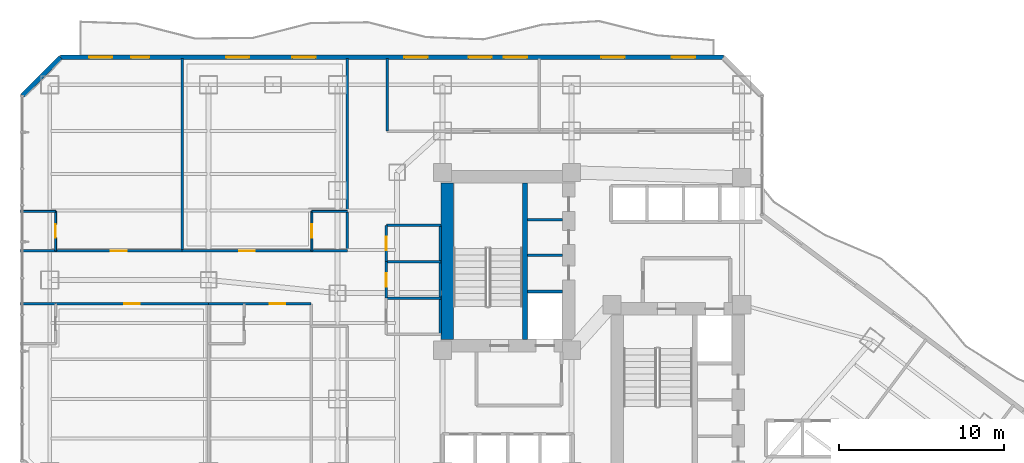
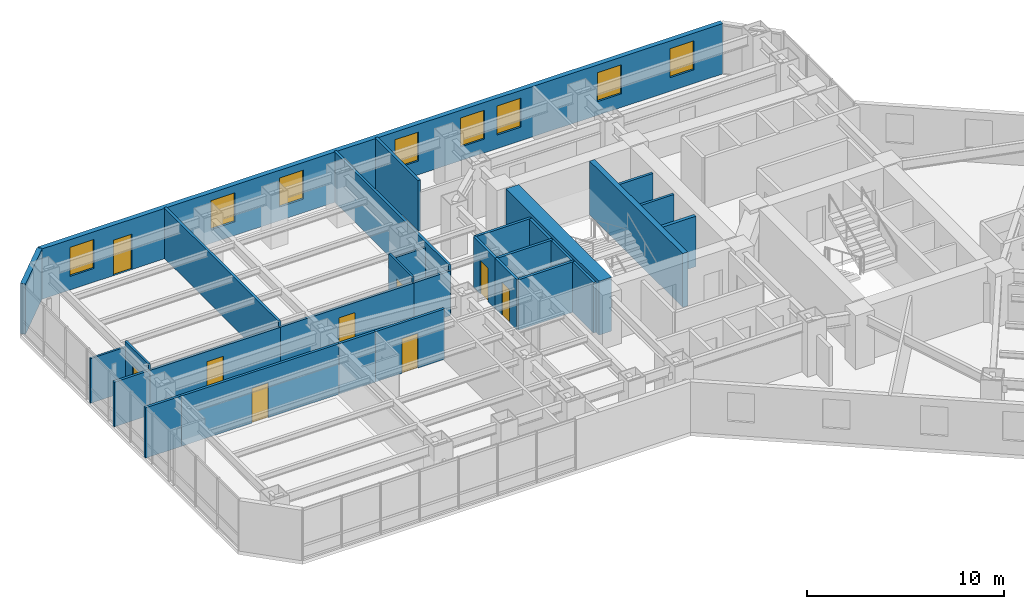
# One storey, part 26 of 37: 28 walls, 9 doors, 8 windows, 17 openings.
"""IFC4 building model written with IfcOpenShell, lengths in metres."""

from ifc_helpers import new_model, si_unit, direction, frame, frame_2d, origin, place, context, subcontext, project, spatial, rectangle, extrude, material, layer, layer_set, type_object, element, fill, save


model = new_model("IFC4")

# Units and contexts
model_context = context("Model", 3, precision=1e-05, world=origin(), true_north=direction((0.0, 1.0)))
body_context = subcontext(model_context, "Body", "Model", "MODEL_VIEW")
ifc_project = project(units=[si_unit("LENGTHUNIT", "METRE"), si_unit("AREAUNIT", "SQUARE_METRE"), si_unit("VOLUMEUNIT", "CUBIC_METRE"), si_unit("PLANEANGLEUNIT", "RADIAN"), si_unit("MASSUNIT", "GRAM", prefix="KILO")], contexts=[model_context])

# Site, building, storey
site_placement = place(None, origin())
site = spatial("IfcSite", under=ifc_project, at=site_placement, CompositionType="ELEMENT")
building_placement = place(site_placement, origin())
building = spatial("IfcBuilding", under=site, at=building_placement, Name="Hatsunagi Terrace Concourse", CompositionType="ELEMENT")
storey_placement = place(building_placement, frame((0.0, 0.0, 39.949951171875)))
storey = spatial("IfcBuildingStorey", under=building, at=storey_placement, Name="L09", CompositionType="ELEMENT", Elevation=39.949951171875)

# Walls
ifc_material_1 = material(Name="Concrete Fc60", Category="concrete")
ifc_layer_1 = layer(ifc_material_1, 0.75)
ifc_layer_set_1 = layer_set([ifc_layer_1], Name="CoreShearWall_Fc60_750")
wall_type_1 = type_object("IfcWallType", Name="CoreShearWall_Fc60_750", PredefinedType="SHEAR", material=ifc_layer_set_1)
wall_1_placement = place(storey_placement, frame((25.844970703125, 33.18994140625, 0.0), z_axis=(0.0, 0.0, 1.0), x_axis=(0.0, 1.0, 0.0)))
element("IfcWall", 1, at=wall_1_placement, inside=storey, type_object=wall_type_1, Name="Core A Shear Wall W L09", PredefinedType="SHEAR", context=body_context, shape_type="SweptSolid", body=[
    extrude(rectangle(XDim=9.47998046875, YDim=0.75, at=frame_2d((4.739990234375, 0.0))), origin(), (0.0, 0.0, 1.0), 3.35009765625),
])
ifc_material_2 = material(Name="Concrete Fc48", Category="concrete")
ifc_layer_2 = layer(ifc_material_2, 0.300048828125)
ifc_layer_set_2 = layer_set([ifc_layer_2], Name="CoreStairDivider_Fc48_300")
wall_type_2 = type_object("IfcWallType", Name="CoreStairDivider_Fc48_300", PredefinedType="SHEAR", material=ifc_layer_set_2)
wall_2_placement = place(storey_placement, frame((30.5400390625, 33.18994140625, 0.0), z_axis=(0.0, 0.0, 1.0), x_axis=(0.0, 1.0, 0.0)))
element("IfcWall", 2, at=wall_2_placement, inside=storey, type_object=wall_type_2, Name="Core A Shear Wall D L09", PredefinedType="SHEAR", context=body_context, shape_type="SweptSolid", body=[
    extrude(rectangle(XDim=9.47998046875, YDim=0.300048828125, at=frame_2d((4.739990234375, 0.0))), origin(), (0.0, 0.0, 1.0), 3.35009765625),
])

# Wall, opening, door
ifc_material_3 = material(Name="Acoustic mineral board", Category="gypsum")
ifc_layer_3 = layer(ifc_material_3, 0.1201171875)
ifc_layer_set_3 = layer_set([ifc_layer_3], Name="PartitionWall_EI30_120")
wall_type_3 = type_object("IfcWallType", Name="PartitionWall_EI30_120", PredefinedType="PARTITIONING", material=ifc_layer_set_3)
wall_3_placement = place(storey_placement, frame((2.14990234375, 38.550048828125, 0.0), z_axis=(0.0, 0.0, 1.0), x_axis=(0.0, 1.0, 0.0)))
wall_3 = element("IfcWall", 3, at=wall_3_placement, inside=storey, type_object=wall_type_3, Name="Interior Partition IW-L09-048", PredefinedType="PARTITIONING", context=body_context, shape_type="SweptSolid", body=[
    extrude(rectangle(XDim=2.39990234375, YDim=0.1201171875, at=frame_2d((1.199951171875, 0.0))), origin(), (0.0, 0.0, 1.0), 3.130126953125),
])
opening_1_placement = place(wall_3_placement, frame((0.800048828125, 0.0, 0.0)))
opening_1 = element("IfcOpeningElement", 4, at=opening_1_placement, cuts=wall_3, Name="Opening DR-080", PredefinedType="OPENING", context=body_context, shape_type="SweptSolid", body=[
    extrude(rectangle(XDim=0.800048828125, YDim=2.06005859375, at=frame_2d((0.39990234375, 1.030029296875))), frame((0.0, 0.070068359375, 0.0), z_axis=(0.0, -1.0, 0.0), x_axis=(1.0, 0.0, 0.0)), (0.0, 0.0, 1.0), 0.14013671875),
])
ifc_material_4 = material(Name="Hardwood timber", Category="wood")
door_type_1 = type_object("IfcDoorType", Name="BathroomDoor_800", OperationType="NOTDEFINED", PredefinedType="DOOR", material=ifc_material_4)
door_1_placement = place(opening_1_placement, origin())
door_1 = element("IfcDoor", 5, at=door_1_placement, inside=storey, type_object=door_type_1, Name="En-Suite Bathroom L09-N1 Door", OperationType="SINGLE_SWING_RIGHT", OverallHeight=2.06005859375, OverallWidth=0.800048828125, PredefinedType="DOOR", context=body_context, shape_type="SweptSolid", body=[
    extrude(rectangle(XDim=0.800048828125, YDim=2.06005859375, at=frame_2d((0.39990234375, 1.030029296875))), frame((0.0, 0.02490234375, 0.0), z_axis=(0.0, -1.0, 0.0), x_axis=(1.0, 0.0, 0.0)), (0.0, 0.0, 1.0), 0.050048828125),
])
fill(opening_1, door_1)

# Wall
wall_4_placement = place(storey_placement, frame((0.0400390625, 40.949951171875, 0.0), z_axis=(0.0, 0.0, 1.0), x_axis=(1.0, 0.0, 0.0)))
element("IfcWall", 6, at=wall_4_placement, inside=storey, type_object=wall_type_3, Name="Interior Partition IW-L09-049", PredefinedType="PARTITIONING", context=body_context, shape_type="SweptSolid", body=[
    extrude(rectangle(XDim=2.10986328125, YDim=0.1201171875, at=frame_2d((1.054931640625, 0.0))), origin(), (0.0, 0.0, 1.0), 2.775146484375),
])

# Wall, opening, door
wall_5_placement = place(storey_placement, frame((17.64990234375, 38.550048828125, 0.0), z_axis=(0.0, 0.0, 1.0), x_axis=(0.0, 1.0, 0.0)))
wall_5 = element("IfcWall", 7, at=wall_5_placement, inside=storey, type_object=wall_type_3, Name="Interior Partition IW-L09-053", PredefinedType="PARTITIONING", context=body_context, shape_type="SweptSolid", body=[
    extrude(rectangle(XDim=2.39990234375, YDim=0.1201171875, at=frame_2d((1.199951171875, 0.0))), origin(), (0.0, 0.0, 1.0), 3.130126953125),
])
opening_2_placement = place(wall_5_placement, frame((0.800048828125, 0.0, 0.0)))
opening_2 = element("IfcOpeningElement", 8, at=opening_2_placement, cuts=wall_5, Name="Opening DR-080", PredefinedType="OPENING", context=body_context, shape_type="SweptSolid", body=[
    extrude(rectangle(XDim=0.800048828125, YDim=2.06005859375, at=frame_2d((0.39990234375, 1.030029296875))), frame((0.0, 0.070068359375, 0.0), z_axis=(0.0, -1.0, 0.0), x_axis=(1.0, 0.0, 0.0)), (0.0, 0.0, 1.0), 0.14013671875),
])
door_2_placement = place(opening_2_placement, origin())
door_2 = element("IfcDoor", 9, at=door_2_placement, inside=storey, type_object=door_type_1, Name="En-Suite Bathroom L09-N2 Door", OperationType="SINGLE_SWING_LEFT", OverallHeight=2.06005859375, OverallWidth=0.800048828125, PredefinedType="DOOR", context=body_context, shape_type="SweptSolid", body=[
    extrude(rectangle(XDim=0.800048828125, YDim=2.06005859375, at=frame_2d((0.39990234375, 1.030029296875))), frame((0.0, 0.02490234375, 0.0), z_axis=(0.0, -1.0, 0.0), x_axis=(1.0, 0.0, 0.0)), (0.0, 0.0, 1.0), 0.050048828125),
])
fill(opening_2, door_2)

# Walls
wall_6_placement = place(storey_placement, frame((17.64990234375, 40.949951171875, 0.0), z_axis=(0.0, 0.0, 1.0), x_axis=(1.0, 0.0, 0.0)))
element("IfcWall", 10, at=wall_6_placement, inside=storey, type_object=wall_type_3, Name="Interior Partition IW-L09-054", PredefinedType="PARTITIONING", context=body_context, shape_type="SweptSolid", body=[
    extrude(rectangle(XDim=2.150146484375, YDim=0.1201171875, at=frame_2d((1.0751953125, 0.0))), origin(), (0.0, 0.0, 1.0), 2.775146484375),
])
ifc_material_5 = material(Name="Acoustic mineral board", Category="gypsum")
ifc_layer_4 = layer(ifc_material_5, 0.14990234375)
ifc_layer_set_4 = layer_set([ifc_layer_4], Name="PartitionWall_EI60_150")
wall_type_4 = type_object("IfcWallType", Name="PartitionWall_EI60_150", PredefinedType="PARTITIONING", material=ifc_layer_set_4)
for number, where, z_axis, x_axis, name in (
    (11, (30.699951171875, 38.300048828125, 0.0), (0.0, 0.0, 1.0), (1.0, 0.0, 0.0), "Interior Partition IW-L09-002"),
    (12, (30.699951171875, 40.449951171875, 0.0), (0.0, 0.0, 1.0), (1.0, 0.0, 0.0), "Interior Partition IW-L09-003"),
):
    element("IfcWall", number, at=place(storey_placement, frame(where, z_axis=z_axis, x_axis=x_axis)), inside=storey, type_object=wall_type_4, Name=name, PredefinedType="PARTITIONING", context=body_context, shape_type="SweptSolid", body=[
        extrude(rectangle(XDim=2.10009765625, YDim=0.14990234375, at=frame_2d((1.050048828125, 0.0))), origin(), (0.0, 0.0, 1.0), 3.130126953125),
    ])
wall_7_placement = place(storey_placement, frame((22.14990234375, 40.10009765625, 0.0), z_axis=(0.0, 0.0, 1.0), x_axis=(1.0, 0.0, 0.0)))
element("IfcWall", 13, at=wall_7_placement, inside=storey, type_object=wall_type_4, Name="Interior Partition IW-L09-032", PredefinedType="PARTITIONING", context=body_context, shape_type="SweptSolid", body=[
    extrude(rectangle(XDim=3.300048828125, YDim=0.14990234375, at=frame_2d((1.64990234375, 0.0))), origin(), (0.0, 0.0, 1.0), 3.130126953125),
])
wall_8_placement = place(storey_placement, frame((25.39990234375, 33.5, 0.0), z_axis=(0.0, 0.0, 1.0), x_axis=(0.0, 1.0, 0.0)))
element("IfcWall", 14, at=wall_8_placement, inside=storey, type_object=wall_type_4, Name="Interior Partition IW-L09-033", PredefinedType="PARTITIONING", context=body_context, shape_type="SweptSolid", body=[
    extrude(rectangle(XDim=6.60009765625, YDim=0.14990234375, at=frame_2d((3.300048828125, 0.0))), origin(), (0.0, 0.0, 1.0), 3.130126953125),
])
for number, where, z_axis, x_axis, name in (
    (15, (22.14990234375, 35.699951171875, 0.0), (0.0, 0.0, 1.0), (1.0, 0.0, 0.0), "Interior Partition IW-L09-034"),
    (16, (22.14990234375, 37.89990234375, 0.0), (0.0, 0.0, 1.0), (1.0, 0.0, 0.0), "Interior Partition IW-L09-035"),
):
    element("IfcWall", number, at=place(storey_placement, frame(where, z_axis=z_axis, x_axis=x_axis)), inside=storey, type_object=wall_type_4, Name=name, PredefinedType="PARTITIONING", context=body_context, shape_type="SweptSolid", body=[
        extrude(rectangle(XDim=3.300048828125, YDim=0.14990234375, at=frame_2d((1.64990234375, 0.0))), origin(), (0.0, 0.0, 1.0), 3.130126953125),
    ])

# Wall, opening, door
wall_9_placement = place(storey_placement, frame((22.14990234375, 35.699951171875, 0.0), z_axis=(0.0, 0.0, 1.0), x_axis=(0.0, 1.0, 0.0)))
wall_9 = element("IfcWall", 17, at=wall_9_placement, inside=storey, type_object=wall_type_4, Name="Interior Partition IW-L09-037", PredefinedType="PARTITIONING", context=body_context, shape_type="SweptSolid", body=[
    extrude(rectangle(XDim=2.199951171875, YDim=0.14990234375, at=frame_2d((1.10009765625, 0.0))), origin(), (0.0, 0.0, 1.0), 3.130126953125),
])
opening_3_placement = place(wall_9_placement, frame((0.699951171875, 0.0, 0.0)))
opening_3 = element("IfcOpeningElement", 18, at=opening_3_placement, cuts=wall_9, Name="Opening DR-080", PredefinedType="OPENING", context=body_context, shape_type="SweptSolid", body=[
    extrude(rectangle(XDim=0.800048828125, YDim=2.06005859375, at=frame_2d((0.39990234375, 1.030029296875))), frame((0.0, 0.0849609375, 0.0), z_axis=(0.0, -1.0, 0.0), x_axis=(1.0, 0.0, 0.0)), (0.0, 0.0, 1.0), 0.169921875),
])
door_3_placement = place(opening_3_placement, origin())
door_3 = element("IfcDoor", 19, at=door_3_placement, inside=storey, type_object=door_type_1, Name="Female Restroom Door L09", OperationType="SINGLE_SWING_RIGHT", OverallHeight=2.06005859375, OverallWidth=0.800048828125, PredefinedType="DOOR", context=body_context, shape_type="SweptSolid", body=[
    extrude(rectangle(XDim=0.800048828125, YDim=2.06005859375, at=frame_2d((0.39990234375, 1.030029296875))), frame((0.0, 0.02490234375, 0.0), z_axis=(0.0, -1.0, 0.0), x_axis=(1.0, 0.0, 0.0)), (0.0, 0.0, 1.0), 0.050048828125),
])
fill(opening_3, door_3)

wall_10_placement = place(storey_placement, frame((22.14990234375, 37.89990234375, 0.0), z_axis=(0.0, 0.0, 1.0), x_axis=(0.0, 1.0, 0.0)))
wall_10 = element("IfcWall", 20, at=wall_10_placement, inside=storey, type_object=wall_type_4, Name="Interior Partition IW-L09-038", PredefinedType="PARTITIONING", context=body_context, shape_type="SweptSolid", body=[
    extrude(rectangle(XDim=2.2001953125, YDim=0.14990234375, at=frame_2d((1.10009765625, 0.0))), origin(), (0.0, 0.0, 1.0), 3.130126953125),
])
opening_4_placement = place(wall_10_placement, frame((0.699951171875, 0.0, 0.0)))
opening_4 = element("IfcOpeningElement", 21, at=opening_4_placement, cuts=wall_10, Name="Opening DR-080", PredefinedType="OPENING", context=body_context, shape_type="SweptSolid", body=[
    extrude(rectangle(XDim=0.800048828125, YDim=2.06005859375, at=frame_2d((0.39990234375, 1.030029296875))), frame((0.0, 0.0849609375, 0.0), z_axis=(0.0, -1.0, 0.0), x_axis=(1.0, 0.0, 0.0)), (0.0, 0.0, 1.0), 0.169921875),
])
door_4_placement = place(opening_4_placement, origin())
door_4 = element("IfcDoor", 22, at=door_4_placement, inside=storey, type_object=door_type_1, Name="Male Restroom Door L09", OperationType="SINGLE_SWING_RIGHT", OverallHeight=2.06005859375, OverallWidth=0.800048828125, PredefinedType="DOOR", context=body_context, shape_type="SweptSolid", body=[
    extrude(rectangle(XDim=0.800048828125, YDim=2.06005859375, at=frame_2d((0.39990234375, 1.030029296875))), frame((0.0, 0.02490234375, 0.0), z_axis=(0.0, -1.0, 0.0), x_axis=(1.0, 0.0, 0.0)), (0.0, 0.0, 1.0), 0.050048828125),
])
fill(opening_4, door_4)

# Walls
wall_11_placement = place(storey_placement, frame((22.199951171875, 45.800048828125, 0.0), z_axis=(0.0, 0.0, 1.0), x_axis=(0.0, 1.0, 0.0)))
element("IfcWall", 23, at=wall_11_placement, inside=storey, type_object=wall_type_4, Name="Interior Partition IW-L09-040", PredefinedType="PARTITIONING", context=body_context, shape_type="SweptSolid", body=[
    extrude(rectangle(XDim=4.39990234375, YDim=0.14990234375, at=frame_2d((2.199951171875, 0.0))), origin(), (0.0, 0.0, 1.0), 3.130126953125),
])
wall_12_placement = place(storey_placement, frame((0.0400390625, 38.550048828125, 0.0), z_axis=(0.0, 0.0, 1.0), x_axis=(1.0, 0.0, 0.0)))
element("IfcWall", 24, at=wall_12_placement, inside=storey, type_object=wall_type_4, Name="Interior Partition IW-L09-046", PredefinedType="PARTITIONING", context=body_context, shape_type="SweptSolid", body=[
    extrude(rectangle(XDim=2.10986328125, YDim=0.14990234375, at=frame_2d((1.054931640625, 0.0))), origin(), (0.0, 0.0, 1.0), 2.775146484375),
])

# Wall, opening, door
wall_13_placement = place(storey_placement, frame((2.14990234375, 38.550048828125, 0.0), z_axis=(0.0, 0.0, 1.0), x_axis=(1.0, 0.0, 0.0)))
wall_13 = element("IfcWall", 25, at=wall_13_placement, inside=storey, type_object=wall_type_4, Name="Interior Partition IW-L09-047", PredefinedType="PARTITIONING", context=body_context, shape_type="SweptSolid", body=[
    extrude(rectangle(XDim=7.650146484375, YDim=0.14990234375, at=frame_2d((3.8251953125, 0.0))), origin(), (0.0, 0.0, 1.0), 2.775146484375),
])
opening_5_placement = place(wall_13_placement, frame((3.35009765625, 0.0, 0.0)))
opening_5 = element("IfcOpeningElement", 26, at=opening_5_placement, cuts=wall_13, Name="Opening DR-095", PredefinedType="OPENING", context=body_context, shape_type="SweptSolid", body=[
    extrude(rectangle(XDim=0.949951171875, YDim=2.14990234375, at=frame_2d((0.47509765625, 1.074951171875))), frame((0.0, 0.0849609375, 0.0), z_axis=(0.0, -1.0, 0.0), x_axis=(1.0, 0.0, 0.0)), (0.0, 0.0, 1.0), 0.169921875),
])
ifc_material_6 = material(Name="Hardwood timber", Category="wood")
door_type_2 = type_object("IfcDoorType", Name="InteriorSuiteDoor_EI30_950", OperationType="NOTDEFINED", PredefinedType="DOOR", material=ifc_material_6)
door_5_placement = place(opening_5_placement, origin())
door_5 = element("IfcDoor", 27, at=door_5_placement, inside=storey, type_object=door_type_2, Name="Corner Hotel Suite L09-N1 Door", OperationType="SINGLE_SWING_LEFT", OverallHeight=2.14990234375, OverallWidth=0.949951171875, PredefinedType="DOOR", context=body_context, shape_type="SweptSolid", body=[
    extrude(rectangle(XDim=0.949951171875, YDim=2.14990234375, at=frame_2d((0.47509765625, 1.074951171875))), frame((0.0, 0.02490234375, 0.0), z_axis=(0.0, -1.0, 0.0), x_axis=(1.0, 0.0, 0.0)), (0.0, 0.0, 1.0), 0.050048828125),
])
fill(opening_5, door_5)

# Wall
wall_14_placement = place(storey_placement, frame((9.800048828125, 38.550048828125, 0.0), z_axis=(0.0, 0.0, 1.0), x_axis=(0.0, 1.0, 0.0)))
element("IfcWall", 28, at=wall_14_placement, inside=storey, type_object=wall_type_4, Name="Interior Partition IW-L09-050", PredefinedType="PARTITIONING", context=body_context, shape_type="SweptSolid", body=[
    extrude(rectangle(XDim=11.64990234375, YDim=0.14990234375, at=frame_2d((5.824951171875, 0.0))), origin(), (0.0, 0.0, 1.0), 3.130126953125),
])

# Wall, opening, door
wall_15_placement = place(storey_placement, frame((9.800048828125, 38.550048828125, 0.0), z_axis=(0.0, 0.0, 1.0), x_axis=(1.0, 0.0, 0.0)))
wall_15 = element("IfcWall", 29, at=wall_15_placement, inside=storey, type_object=wall_type_4, Name="Interior Partition IW-L09-051", PredefinedType="PARTITIONING", context=body_context, shape_type="SweptSolid", body=[
    extrude(rectangle(XDim=7.849853515625, YDim=0.14990234375, at=frame_2d((3.9248046875, 0.0))), origin(), (0.0, 0.0, 1.0), 2.775146484375),
])
opening_6_placement = place(wall_15_placement, frame((3.449951171875, 0.0, 0.0)))
opening_6 = element("IfcOpeningElement", 30, at=opening_6_placement, cuts=wall_15, Name="Opening DR-095", PredefinedType="OPENING", context=body_context, shape_type="SweptSolid", body=[
    extrude(rectangle(XDim=0.949951171875, YDim=2.14990234375, at=frame_2d((0.47509765625, 1.074951171875))), frame((0.0, 0.0849609375, 0.0), z_axis=(0.0, -1.0, 0.0), x_axis=(1.0, 0.0, 0.0)), (0.0, 0.0, 1.0), 0.169921875),
])
door_6_placement = place(opening_6_placement, origin())
door_6 = element("IfcDoor", 31, at=door_6_placement, inside=storey, type_object=door_type_2, Name="Corner Hotel Suite L09-N2 Door", OperationType="SINGLE_SWING_LEFT", OverallHeight=2.14990234375, OverallWidth=0.949951171875, PredefinedType="DOOR", context=body_context, shape_type="SweptSolid", body=[
    extrude(rectangle(XDim=0.949951171875, YDim=2.14990234375, at=frame_2d((0.47509765625, 1.074951171875))), frame((0.0, 0.02490234375, 0.0), z_axis=(0.0, -1.0, 0.0), x_axis=(1.0, 0.0, 0.0)), (0.0, 0.0, 1.0), 0.050048828125),
])
fill(opening_6, door_6)

# Walls
wall_16_placement = place(storey_placement, frame((17.64990234375, 38.550048828125, 0.0), z_axis=(0.0, 0.0, 1.0), x_axis=(1.0, 0.0, 0.0)))
element("IfcWall", 32, at=wall_16_placement, inside=storey, type_object=wall_type_4, Name="Interior Partition IW-L09-052", PredefinedType="PARTITIONING", context=body_context, shape_type="SweptSolid", body=[
    extrude(rectangle(XDim=2.150146484375, YDim=0.14990234375, at=frame_2d((1.0751953125, 0.0))), origin(), (0.0, 0.0, 1.0), 2.775146484375),
])
wall_17_placement = place(storey_placement, frame((19.800048828125, 38.550048828125, 0.0), z_axis=(0.0, 0.0, 1.0), x_axis=(0.0, 1.0, 0.0)))
element("IfcWall", 33, at=wall_17_placement, inside=storey, type_object=wall_type_4, Name="Interior Partition IW-L09-055", PredefinedType="PARTITIONING", context=body_context, shape_type="SweptSolid", body=[
    extrude(rectangle(XDim=11.64990234375, YDim=0.14990234375, at=frame_2d((5.824951171875, 0.0))), origin(), (0.0, 0.0, 1.0), 3.130126953125),
])
wall_18_placement = place(storey_placement, frame((0.0400390625, 35.35009765625, 0.0), z_axis=(0.0, 0.0, 1.0), x_axis=(1.0, 0.0, 0.0)))
element("IfcWall", 34, at=wall_18_placement, inside=storey, type_object=wall_type_4, Name="Interior Partition IW-L09-056", PredefinedType="PARTITIONING", context=body_context, shape_type="SweptSolid", body=[
    extrude(rectangle(XDim=2.10986328125, YDim=0.14990234375, at=frame_2d((1.054931640625, 0.0))), origin(), (0.0, 0.0, 1.0), 3.130126953125),
])

# Wall, opening, door
wall_19_placement = place(storey_placement, frame((2.14990234375, 35.35009765625, 0.0), z_axis=(0.0, 0.0, 1.0), x_axis=(1.0, 0.0, 0.0)))
wall_19 = element("IfcWall", 35, at=wall_19_placement, inside=storey, type_object=wall_type_4, Name="Interior Partition IW-L09-057", PredefinedType="PARTITIONING", context=body_context, shape_type="SweptSolid", body=[
    extrude(rectangle(XDim=9.25, YDim=0.14990234375, at=frame_2d((4.625, 0.0))), origin(), (0.0, 0.0, 1.0), 3.130126953125),
])
opening_7_placement = place(wall_19_placement, frame((4.14990234375, 0.0, 0.0)))
opening_7 = element("IfcOpeningElement", 36, at=opening_7_placement, cuts=wall_19, Name="Opening DR-095", PredefinedType="OPENING", context=body_context, shape_type="SweptSolid", body=[
    extrude(rectangle(XDim=0.949951171875, YDim=2.14990234375, at=frame_2d((0.47509765625, 1.074951171875))), frame((0.0, 0.0849609375, 0.0), z_axis=(0.0, -1.0, 0.0), x_axis=(1.0, 0.0, 0.0)), (0.0, 0.0, 1.0), 0.169921875),
])
door_7_placement = place(opening_7_placement, origin())
door_7 = element("IfcDoor", 37, at=door_7_placement, inside=storey, type_object=door_type_2, Name="Corner Hotel Suite L09-S1 Door", OperationType="SINGLE_SWING_RIGHT", OverallHeight=2.14990234375, OverallWidth=0.949951171875, PredefinedType="DOOR", context=body_context, shape_type="SweptSolid", body=[
    extrude(rectangle(XDim=0.949951171875, YDim=2.14990234375, at=frame_2d((0.47509765625, 1.074951171875))), frame((0.0, 0.02490234375, 0.0), z_axis=(0.0, -1.0, 0.0), x_axis=(1.0, 0.0, 0.0)), (0.0, 0.0, 1.0), 0.050048828125),
])
fill(opening_7, door_7)

# Wall
wall_20_placement = place(storey_placement, frame((11.39990234375, 35.35009765625, 0.0), z_axis=(0.0, 0.0, 1.0), x_axis=(1.0, 0.0, 0.0)))
element("IfcWall", 38, at=wall_20_placement, inside=storey, type_object=wall_type_4, Name="Interior Partition IW-L09-061", PredefinedType="PARTITIONING", context=body_context, shape_type="SweptSolid", body=[
    extrude(rectangle(XDim=2.150146484375, YDim=0.14990234375, at=frame_2d((1.0751953125, 0.0))), origin(), (0.0, 0.0, 1.0), 3.130126953125),
])

# Wall, opening, door
wall_21_placement = place(storey_placement, frame((13.550048828125, 35.35009765625, 0.0), z_axis=(0.0, 0.0, 1.0), x_axis=(1.0, 0.0, 0.0)))
wall_21 = element("IfcWall", 39, at=wall_21_placement, inside=storey, type_object=wall_type_4, Name="Interior Partition IW-L09-062", PredefinedType="PARTITIONING", context=body_context, shape_type="SweptSolid", body=[
    extrude(rectangle(XDim=4.050048828125, YDim=0.14990234375, at=frame_2d((2.02490234375, 0.0))), origin(), (0.0, 0.0, 1.0), 3.130126953125),
])
opening_8_placement = place(wall_21_placement, frame((1.550048828125, 0.0, 0.0)))
opening_8 = element("IfcOpeningElement", 40, at=opening_8_placement, cuts=wall_21, Name="Opening DR-095", PredefinedType="OPENING", context=body_context, shape_type="SweptSolid", body=[
    extrude(rectangle(XDim=0.949951171875, YDim=2.14990234375, at=frame_2d((0.47509765625, 1.074951171875))), frame((0.0, 0.0849609375, 0.0), z_axis=(0.0, -1.0, 0.0), x_axis=(1.0, 0.0, 0.0)), (0.0, 0.0, 1.0), 0.169921875),
])
door_8_placement = place(opening_8_placement, origin())
door_8 = element("IfcDoor", 41, at=door_8_placement, inside=storey, type_object=door_type_2, Name="Hotel Guest Room L09-S2 Door", OperationType="SINGLE_SWING_RIGHT", OverallHeight=2.14990234375, OverallWidth=0.949951171875, PredefinedType="DOOR", context=body_context, shape_type="SweptSolid", body=[
    extrude(rectangle(XDim=0.949951171875, YDim=2.14990234375, at=frame_2d((0.47509765625, 1.074951171875))), frame((0.0, 0.02490234375, 0.0), z_axis=(0.0, -1.0, 0.0), x_axis=(1.0, 0.0, 0.0)), (0.0, 0.0, 1.0), 0.050048828125),
])
fill(opening_8, door_8)

# Walls
ifc_material_7 = material(Name="Acoustic mineral board", Category="gypsum")
ifc_layer_5 = layer(ifc_material_7, 0.199951171875)
ifc_layer_set_5 = layer_set([ifc_layer_5], Name="ShaftWall_EI120_200")
wall_type_5 = type_object("IfcWallType", Name="ShaftWall_EI120_200", PredefinedType="STANDARD", material=ifc_layer_set_5)
wall_22_placement = place(storey_placement, frame((30.699951171875, 36.10009765625, 0.0), z_axis=(0.0, 0.0, 1.0), x_axis=(1.0, 0.0, 0.0)))
element("IfcWall", 42, at=wall_22_placement, inside=storey, type_object=wall_type_5, Name="Interior Partition IW-L09-001", PredefinedType="STANDARD", context=body_context, shape_type="SweptSolid", body=[
    extrude(rectangle(XDim=2.10009765625, YDim=0.199951171875, at=frame_2d((1.050048828125, 0.0))), origin(), (0.0, 0.0, 1.0), 3.130126953125),
])
ifc_material_8 = material(Name="Autoclaved Lightweight Concrete and Terracotta Cladding", Category="masonry")
ifc_layer_6 = layer(ifc_material_8, 0.280029296875)
ifc_layer_set_6 = layer_set([ifc_layer_6], Name="TerracottaSpandrelWall_280")
wall_type_6 = type_object("IfcWallType", Name="TerracottaSpandrelWall_280", PredefinedType="STANDARD", material=ifc_layer_set_6)
wall_23_placement = place(storey_placement, frame((0.139892578125, 47.94189453125, 0.0), z_axis=(0.0, 0.0, 1.0), x_axis=(0.707106781187, 0.707106781187, 0.0)))
element("IfcWall", 43, at=wall_23_placement, inside=storey, type_object=wall_type_6, Name="Exterior Spandrel Wall EW-L09-10", PredefinedType="STANDARD", context=body_context, shape_type="SweptSolid", body=[
    extrude(rectangle(XDim=3.2783203125, YDim=0.280029296875, at=frame_2d((1.63916015625, 0.0))), origin(), (0.0, 0.0, 1.0), 3.130126953125),
])

# Wall, openings, door, windows
wall_24_placement = place(storey_placement, frame((2.4580078125, 50.260009765625, 0.0), z_axis=(0.0, 0.0, 1.0), x_axis=(1.0, 0.0, 0.0)))
wall_24 = element("IfcWall", 44, at=wall_24_placement, inside=storey, type_object=wall_type_6, Name="Exterior Spandrel Wall EW-L09-11", PredefinedType="STANDARD", context=body_context, shape_type="SweptSolid", body=[
    extrude(rectangle(XDim=40.083984375, YDim=0.280029296875, at=frame_2d((20.0419921875, 0.0))), origin(), (0.0, 0.0, 1.0), 3.130126953125),
])
opening_9_placement = place(wall_24_placement, frame((4.260009765625, 0.0, 0.0)))
opening_9 = element("IfcOpeningElement", 45, at=opening_9_placement, cuts=wall_24, Name="Opening BD-01", PredefinedType="OPENING", context=body_context, shape_type="SweptSolid", body=[
    extrude(rectangle(XDim=1.10009765625, YDim=2.199951171875, at=frame_2d((0.550048828125, 1.10009765625))), frame((0.0, 0.14990234375, 0.0), z_axis=(0.0, -1.0, 0.0), x_axis=(1.0, 0.0, 0.0)), (0.0, 0.0, 1.0), 0.300048828125),
])
opening_10_placement = place(wall_24_placement, frame((1.717041015625, 0.0, 0.85009765625)))
opening_10 = element("IfcOpeningElement", 46, at=opening_10_placement, cuts=wall_24, Name="Opening WIN-02", PredefinedType="OPENING", context=body_context, shape_type="SweptSolid", body=[
    extrude(rectangle(XDim=1.39990234375, YDim=1.800048828125, at=frame_2d((0.699951171875, 0.89990234375))), frame((0.0, 0.14990234375, 0.0), z_axis=(0.0, -1.0, 0.0), x_axis=(1.0, 0.0, 0.0)), (0.0, 0.0, 1.0), 0.300048828125),
])
opening_11_placement = place(wall_24_placement, frame((10.0, 0.0, 0.85009765625)))
opening_11 = element("IfcOpeningElement", 47, at=opening_11_placement, cuts=wall_24, Name="Opening WIN-02", PredefinedType="OPENING", context=body_context, shape_type="SweptSolid", body=[
    extrude(rectangle(XDim=1.39990234375, YDim=1.800048828125, at=frame_2d((0.699951171875, 0.89990234375))), frame((0.0, 0.14990234375, 0.0), z_axis=(0.0, -1.0, 0.0), x_axis=(1.0, 0.0, 0.0)), (0.0, 0.0, 1.0), 0.300048828125),
])
opening_12_placement = place(wall_24_placement, frame((14.02001953125, 0.0, 0.85009765625)))
opening_12 = element("IfcOpeningElement", 48, at=opening_12_placement, cuts=wall_24, Name="Opening WIN-02", PredefinedType="OPENING", context=body_context, shape_type="SweptSolid", body=[
    extrude(rectangle(XDim=1.39990234375, YDim=1.800048828125, at=frame_2d((0.699951171875, 0.89990234375))), frame((0.0, 0.14990234375, 0.0), z_axis=(0.0, -1.0, 0.0), x_axis=(1.0, 0.0, 0.0)), (0.0, 0.0, 1.0), 0.300048828125),
])
opening_13_placement = place(wall_24_placement, frame((20.7890625, 0.0, 0.85009765625)))
opening_13 = element("IfcOpeningElement", 49, at=opening_13_placement, cuts=wall_24, Name="Opening WIN-02", PredefinedType="OPENING", context=body_context, shape_type="SweptSolid", body=[
    extrude(rectangle(XDim=1.39990234375, YDim=1.800048828125, at=frame_2d((0.699951171875, 0.89990234375))), frame((0.0, 0.14990234375, 0.0), z_axis=(0.0, -1.0, 0.0), x_axis=(1.0, 0.0, 0.0)), (0.0, 0.0, 1.0), 0.300048828125),
])
opening_14_placement = place(wall_24_placement, frame((24.6640625, 0.0, 0.85009765625)))
opening_14 = element("IfcOpeningElement", 50, at=opening_14_placement, cuts=wall_24, Name="Opening WIN-02", PredefinedType="OPENING", context=body_context, shape_type="SweptSolid", body=[
    extrude(rectangle(XDim=1.39990234375, YDim=1.800048828125, at=frame_2d((0.699951171875, 0.89990234375))), frame((0.0, 0.14990234375, 0.0), z_axis=(0.0, -1.0, 0.0), x_axis=(1.0, 0.0, 0.0)), (0.0, 0.0, 1.0), 0.300048828125),
])
opening_15_placement = place(wall_24_placement, frame((26.802978515625, 0.0, 0.85009765625)))
opening_15 = element("IfcOpeningElement", 51, at=opening_15_placement, cuts=wall_24, Name="Opening WIN-02", PredefinedType="OPENING", context=body_context, shape_type="SweptSolid", body=[
    extrude(rectangle(XDim=1.39990234375, YDim=1.800048828125, at=frame_2d((0.699951171875, 0.89990234375))), frame((0.0, 0.14990234375, 0.0), z_axis=(0.0, -1.0, 0.0), x_axis=(1.0, 0.0, 0.0)), (0.0, 0.0, 1.0), 0.300048828125),
])
opening_16_placement = place(wall_24_placement, frame((32.702880859375, 0.0, 0.85009765625)))
opening_16 = element("IfcOpeningElement", 52, at=opening_16_placement, cuts=wall_24, Name="Opening WIN-02", PredefinedType="OPENING", context=body_context, shape_type="SweptSolid", body=[
    extrude(rectangle(XDim=1.39990234375, YDim=1.800048828125, at=frame_2d((0.699951171875, 0.89990234375))), frame((0.0, 0.14990234375, 0.0), z_axis=(0.0, -1.0, 0.0), x_axis=(1.0, 0.0, 0.0)), (0.0, 0.0, 1.0), 0.300048828125),
])
opening_17_placement = place(wall_24_placement, frame((36.967041015625, 0.0, 0.85009765625)))
opening_17 = element("IfcOpeningElement", 53, at=opening_17_placement, cuts=wall_24, Name="Opening WIN-02", PredefinedType="OPENING", context=body_context, shape_type="SweptSolid", body=[
    extrude(rectangle(XDim=1.39990234375, YDim=1.800048828125, at=frame_2d((0.699951171875, 0.89990234375))), frame((0.0, 0.14990234375, 0.0), z_axis=(0.0, -1.0, 0.0), x_axis=(1.0, 0.0, 0.0)), (0.0, 0.0, 1.0), 0.300048828125),
])
ifc_material_9 = material(Name="Galvanised Steel and Laminated Safety Glass", Category="steel")
door_type_3 = type_object("IfcDoorType", Name="BalconyTerraceAccessDoor_1100x2200", OperationType="SINGLE_SWING_LEFT", PredefinedType="DOOR", material=ifc_material_9)
door_9_placement = place(opening_9_placement, origin())
door_9 = element("IfcDoor", 54, at=door_9_placement, inside=storey, type_object=door_type_3, Name="Engawa Balcony Door L09-BN", OperationType="SINGLE_SWING_RIGHT", OverallHeight=2.199951171875, OverallWidth=1.10009765625, PredefinedType="DOOR", context=body_context, shape_type="SweptSolid", body=[
    extrude(rectangle(XDim=1.10009765625, YDim=2.199951171875, at=frame_2d((0.550048828125, 1.10009765625))), frame((0.0, 0.02490234375, 0.0), z_axis=(0.0, -1.0, 0.0), x_axis=(1.0, 0.0, 0.0)), (0.0, 0.0, 1.0), 0.050048828125),
])
fill(opening_9, door_9)
ifc_material_10 = material(Name="Thermally Broken Aluminium and Low-E Triple Glazing", Category="aluminium")
window_type = type_object("IfcWindowType", Name="HotelOperableVentWindow_1400x1800", PartitioningType="DOUBLE_PANEL_VERTICAL", PredefinedType="WINDOW", material=ifc_material_10)
window_1_placement = place(opening_10_placement, origin())
window_1 = element("IfcWindow", 55, at=window_1_placement, inside=storey, type_object=window_type, Name="Balcony Daylighting Window L09-11-1", OverallHeight=1.800048828125, OverallWidth=1.39990234375, PartitioningType="SINGLE_PANEL", PredefinedType="WINDOW", context=body_context, shape_type="SweptSolid", body=[
    extrude(rectangle(XDim=1.39990234375, YDim=1.800048828125, at=frame_2d((0.699951171875, 0.89990234375))), frame((0.0, 0.030029296875, 0.0), z_axis=(0.0, -1.0, 0.0), x_axis=(1.0, 0.0, 0.0)), (0.0, 0.0, 1.0), 0.06005859375),
])
fill(opening_10, window_1)
window_2_placement = place(opening_11_placement, origin())
window_2 = element("IfcWindow", 56, at=window_2_placement, inside=storey, type_object=window_type, Name="Balcony Daylighting Window L09-11-3", OverallHeight=1.800048828125, OverallWidth=1.39990234375, PartitioningType="SINGLE_PANEL", PredefinedType="WINDOW", context=body_context, shape_type="SweptSolid", body=[
    extrude(rectangle(XDim=1.39990234375, YDim=1.800048828125, at=frame_2d((0.699951171875, 0.89990234375))), frame((0.0, 0.030029296875, 0.0), z_axis=(0.0, -1.0, 0.0), x_axis=(1.0, 0.0, 0.0)), (0.0, 0.0, 1.0), 0.06005859375),
])
fill(opening_11, window_2)
window_3_placement = place(opening_12_placement, origin())
window_3 = element("IfcWindow", 57, at=window_3_placement, inside=storey, type_object=window_type, Name="Balcony Daylighting Window L09-11-4", OverallHeight=1.800048828125, OverallWidth=1.39990234375, PartitioningType="SINGLE_PANEL", PredefinedType="WINDOW", context=body_context, shape_type="SweptSolid", body=[
    extrude(rectangle(XDim=1.39990234375, YDim=1.800048828125, at=frame_2d((0.699951171875, 0.89990234375))), frame((0.0, 0.030029296875, 0.0), z_axis=(0.0, -1.0, 0.0), x_axis=(1.0, 0.0, 0.0)), (0.0, 0.0, 1.0), 0.06005859375),
])
fill(opening_12, window_3)
window_4_placement = place(opening_13_placement, origin())
window_4 = element("IfcWindow", 58, at=window_4_placement, inside=storey, type_object=window_type, Name="Balcony Daylighting Window L09-11-5", OverallHeight=1.800048828125, OverallWidth=1.39990234375, PartitioningType="SINGLE_PANEL", PredefinedType="WINDOW", context=body_context, shape_type="SweptSolid", body=[
    extrude(rectangle(XDim=1.39990234375, YDim=1.800048828125, at=frame_2d((0.699951171875, 0.89990234375))), frame((0.0, 0.030029296875, 0.0), z_axis=(0.0, -1.0, 0.0), x_axis=(1.0, 0.0, 0.0)), (0.0, 0.0, 1.0), 0.06005859375),
])
fill(opening_13, window_4)
window_5_placement = place(opening_14_placement, origin())
window_5 = element("IfcWindow", 59, at=window_5_placement, inside=storey, type_object=window_type, Name="Balcony Daylighting Window L09-11-6", OverallHeight=1.800048828125, OverallWidth=1.39990234375, PartitioningType="SINGLE_PANEL", PredefinedType="WINDOW", context=body_context, shape_type="SweptSolid", body=[
    extrude(rectangle(XDim=1.39990234375, YDim=1.800048828125, at=frame_2d((0.699951171875, 0.89990234375))), frame((0.0, 0.030029296875, 0.0), z_axis=(0.0, -1.0, 0.0), x_axis=(1.0, 0.0, 0.0)), (0.0, 0.0, 1.0), 0.06005859375),
])
fill(opening_14, window_5)
window_6_placement = place(opening_15_placement, origin())
window_6 = element("IfcWindow", 60, at=window_6_placement, inside=storey, type_object=window_type, Name="Balcony Daylighting Window L09-11-7", OverallHeight=1.800048828125, OverallWidth=1.39990234375, PartitioningType="SINGLE_PANEL", PredefinedType="WINDOW", context=body_context, shape_type="SweptSolid", body=[
    extrude(rectangle(XDim=1.39990234375, YDim=1.800048828125, at=frame_2d((0.699951171875, 0.89990234375))), frame((0.0, 0.030029296875, 0.0), z_axis=(0.0, -1.0, 0.0), x_axis=(1.0, 0.0, 0.0)), (0.0, 0.0, 1.0), 0.06005859375),
])
fill(opening_15, window_6)
window_7_placement = place(opening_16_placement, origin())
window_7 = element("IfcWindow", 61, at=window_7_placement, inside=storey, type_object=window_type, Name="Balcony Daylighting Window L09-11-8", OverallHeight=1.800048828125, OverallWidth=1.39990234375, PartitioningType="SINGLE_PANEL", PredefinedType="WINDOW", context=body_context, shape_type="SweptSolid", body=[
    extrude(rectangle(XDim=1.39990234375, YDim=1.800048828125, at=frame_2d((0.699951171875, 0.89990234375))), frame((0.0, 0.030029296875, 0.0), z_axis=(0.0, -1.0, 0.0), x_axis=(1.0, 0.0, 0.0)), (0.0, 0.0, 1.0), 0.06005859375),
])
fill(opening_16, window_7)
window_8_placement = place(opening_17_placement, origin())
window_8 = element("IfcWindow", 62, at=window_8_placement, inside=storey, type_object=window_type, Name="Balcony Daylighting Window L09-11-9", OverallHeight=1.800048828125, OverallWidth=1.39990234375, PartitioningType="SINGLE_PANEL", PredefinedType="WINDOW", context=body_context, shape_type="SweptSolid", body=[
    extrude(rectangle(XDim=1.39990234375, YDim=1.800048828125, at=frame_2d((0.699951171875, 0.89990234375))), frame((0.0, 0.030029296875, 0.0), z_axis=(0.0, -1.0, 0.0), x_axis=(1.0, 0.0, 0.0)), (0.0, 0.0, 1.0), 0.06005859375),
])
fill(opening_17, window_8)

save(model, "model.ifc")
